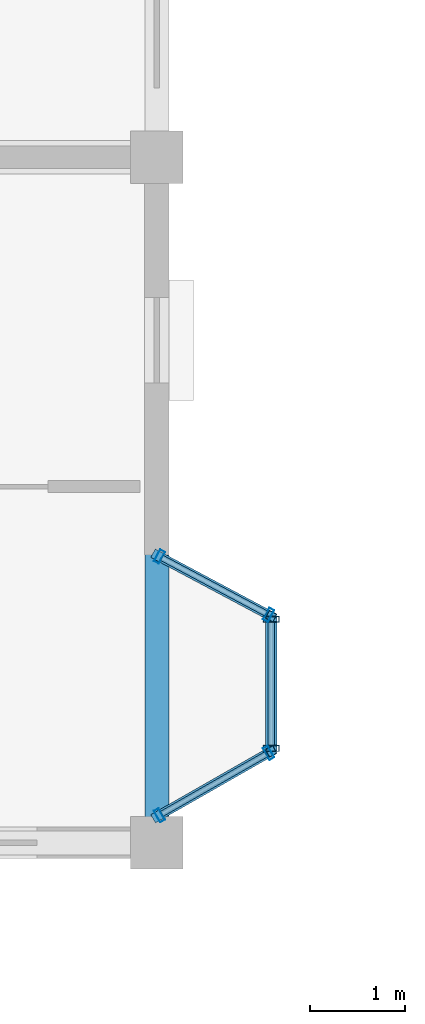
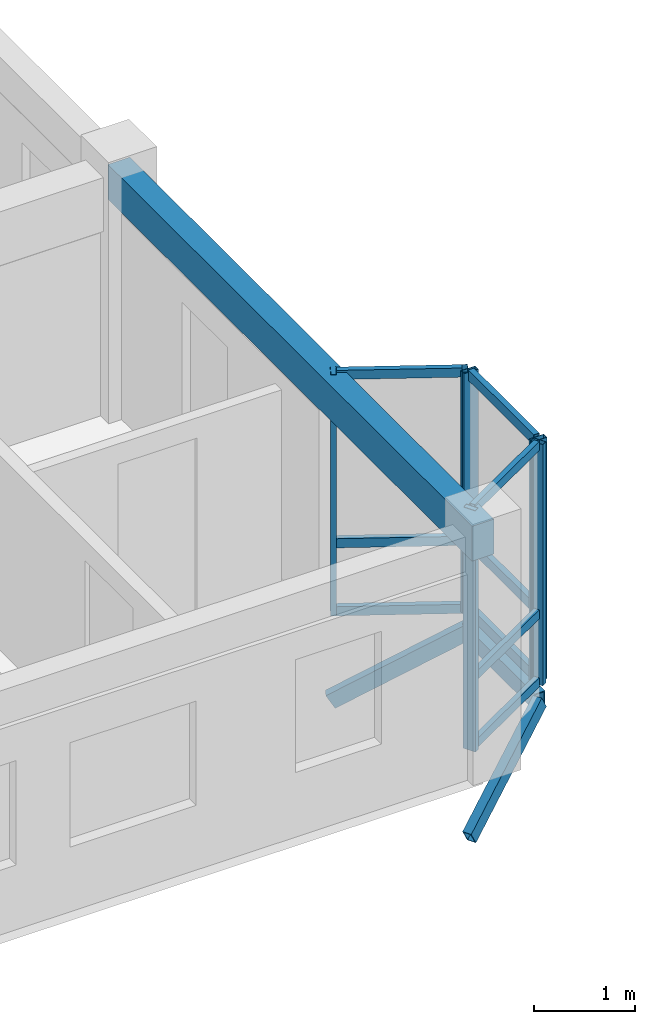
# One storey, part 15 of 77: 18 members, 1 beam, 3 elements without a shape of their own.
"""IFC4 building model written with IfcOpenShell, lengths in metres."""

from ifc_helpers import new_model, si_unit, direction, frame, origin, origin_2d, place, context, subcontext, project, spatial, rectangle, hollow_rectangle, extrude, material, layer, layer_set, material_profile, profile_set, type_object, element, aggregate, save


model = new_model("IFC4")

# Units and contexts
model_context = context("Model", 3, precision=1e-05, world=origin(), true_north=direction((0.0, 1.0)))
body_context = subcontext(model_context, "Body", "Model", "MODEL_VIEW")
ifc_project = project(units=[si_unit("LENGTHUNIT", "METRE"), si_unit("AREAUNIT", "SQUARE_METRE"), si_unit("VOLUMEUNIT", "CUBIC_METRE"), si_unit("PLANEANGLEUNIT", "RADIAN"), si_unit("MASSUNIT", "GRAM", prefix="KILO"), si_unit("THERMODYNAMICTEMPERATUREUNIT", "KELVIN"), si_unit("POWERUNIT", "WATT")], contexts=[model_context])

# Site, building, storey
site_placement = place(None, origin())
site = spatial("IfcSite", under=ifc_project, at=site_placement, CompositionType="ELEMENT")
building_placement = place(site_placement, origin())
building = spatial("IfcBuilding", under=site, at=building_placement, Name="Tavuni Mirador Residences", CompositionType="ELEMENT")
storey_placement = place(building_placement, frame((0.0, 0.0, 17.10009765625)))
storey = spatial("IfcBuildingStorey", under=building, at=storey_placement, Name="L05", CompositionType="ELEMENT", Elevation=17.10009765625)

# Beam
ifc_material_1 = material(Name="Precast concrete C40/50", Category="concrete")
ifc_material_profile_1 = material_profile(ifc_material_1, rectangle(XDim=0.25, YDim=0.419921875, at=origin_2d()), Name="PC 250x420", Category="concrete")
ifc_profile_set_1 = profile_set([ifc_material_profile_1], Name="Precast concrete C40/50")
beam_type = type_object("IfcBeamType", Name="BT-SP420", PredefinedType="SPANDREL", material=ifc_profile_set_1)
beam_placement = place(storey_placement, frame((25.199951171875, 64.800048828125, 2.699951171875), z_axis=(0.0, 1.0, 0.0), x_axis=(-1.0, 0.0, 0.0)))
element("IfcBeam", 1, at=beam_placement, inside=storey, type_object=beam_type, Name="BMY-BLK-B-L05-03-00", PredefinedType="SPANDREL", context=body_context, shape_type="SweptSolid", body=[
    extrude(rectangle(XDim=0.25, YDim=0.419921875, at=origin_2d()), origin(), (0.0, 0.0, 1.0), 7.199951171875),
])

# Curtain wall, members
ifc_material_2 = material(Name="Anodised aluminium", Category="aluminium")
ifc_layer_1 = layer(ifc_material_2, 0.1650390625, Name="Anodised aluminium", Category="aluminium")
ifc_layer_set_1 = layer_set([ifc_layer_1], Name="Anodised aluminium")
curtain_wall_type_1 = type_object("IfcCurtainWallType", Name="CWT-MIR-A", PredefinedType="NOTDEFINED", material=ifc_layer_set_1)
curtain_wall_1_placement = place(storey_placement, origin())
curtain_wall_1 = element("IfcCurtainWall", 2, at=curtain_wall_1_placement, inside=storey, type_object=curtain_wall_type_1, Name="CW-MIR-B-E1-L05-M1", PredefinedType="NOTDEFINED")
ifc_material_profile_2 = material_profile(ifc_material_2, hollow_rectangle(XDim=0.06005859375, YDim=0.139892578125, WallThickness=0.00390625, at=origin_2d()), Name="ALU 60x140x4.0", Category="aluminium")
ifc_profile_set_2 = profile_set([ifc_material_profile_2], Name="Anodised aluminium")
member_type_1 = type_object("IfcMemberType", Name="CWM-140", PredefinedType="MULLION", material=ifc_profile_set_2)
member_1_placement = place(storey_placement, frame((25.22607421875, 65.08984375, 0.0), z_axis=(0.0, 0.0, 1.0), x_axis=(0.868465738194, 0.495749192217, 0.0)))
member_1 = element("IfcMember", 3, at=member_1_placement, type_object=member_type_1, Name="CW-01 mullion 1", PredefinedType="MULLION", context=body_context, shape_type="SweptSolid", body=[
    extrude(hollow_rectangle(XDim=0.06005859375, YDim=0.139892578125, WallThickness=0.00390625, at=origin_2d()), origin(), (0.0, 0.0, 1.0), 2.909912109375),
])
member_2_placement = place(storey_placement, frame((26.3740234375, 65.7451171875, 0.0), z_axis=(0.0, 0.0, 1.0), x_axis=(0.868465738194, 0.495749192217, 0.0)))
member_2 = element("IfcMember", 4, at=member_2_placement, type_object=member_type_1, Name="CW-01 mullion 2", PredefinedType="MULLION", context=body_context, shape_type="SweptSolid", body=[
    extrude(hollow_rectangle(XDim=0.06005859375, YDim=0.139892578125, WallThickness=0.00390625, at=origin_2d()), origin(), (0.0, 0.0, 1.0), 2.909912109375),
])

ifc_layer_2 = layer(ifc_material_2, 0.175048828125, Name="Anodised aluminium", Category="aluminium")
ifc_layer_set_2 = layer_set([ifc_layer_2], Name="Anodised aluminium")
curtain_wall_type_2 = type_object("IfcCurtainWallType", Name="CWT-MIR-C", PredefinedType="NOTDEFINED", material=ifc_layer_set_2)
curtain_wall_2_placement = place(storey_placement, origin())
curtain_wall_2 = element("IfcCurtainWall", 5, at=curtain_wall_2_placement, inside=storey, type_object=curtain_wall_type_2, Name="CW-MIR-B-E1-L05-M2", PredefinedType="NOTDEFINED")
member_3_placement = place(storey_placement, frame((26.37353515625, 67.194091796875, 0.0), z_axis=(0.0, 0.0, 1.0), x_axis=(-0.882352941175, 0.470588235296, 0.0)))
member_3 = element("IfcMember", 6, at=member_3_placement, type_object=member_type_1, Name="CW-03 mullion 1", PredefinedType="MULLION", context=body_context, shape_type="SweptSolid", body=[
    extrude(hollow_rectangle(XDim=0.06005859375, YDim=0.139892578125, WallThickness=0.00390625, at=origin_2d()), origin(), (0.0, 0.0, 1.0), 2.909912109375),
])
member_4_placement = place(storey_placement, frame((25.2265625, 67.805908203125, 0.0), z_axis=(0.0, 0.0, 1.0), x_axis=(-0.882352941175, 0.470588235296, 0.0)))
member_4 = element("IfcMember", 7, at=member_4_placement, type_object=member_type_1, Name="CW-03 mullion 2", PredefinedType="MULLION", context=body_context, shape_type="SweptSolid", body=[
    extrude(hollow_rectangle(XDim=0.06005859375, YDim=0.139892578125, WallThickness=0.00390625, at=origin_2d()), origin(), (0.0, 0.0, 1.0), 2.909912109375),
])

ifc_layer_3 = layer(ifc_material_2, 0.14990234375, Name="Anodised aluminium", Category="aluminium")
ifc_layer_set_3 = layer_set([ifc_layer_3], Name="Anodised aluminium")
curtain_wall_type_3 = type_object("IfcCurtainWallType", Name="CWT-MIR-B", PredefinedType="NOTDEFINED", material=ifc_layer_set_3)
curtain_wall_3_placement = place(storey_placement, origin())
curtain_wall_3 = element("IfcCurtainWall", 8, at=curtain_wall_3_placement, inside=storey, type_object=curtain_wall_type_3, Name="CW-MIR-B-E1-L05-MF", PredefinedType="NOTDEFINED")
ifc_material_profile_3 = material_profile(ifc_material_2, hollow_rectangle(XDim=0.06494140625, YDim=0.1650390625, WallThickness=0.00439453125, at=origin_2d()), Name="ALU 65x165x4.5", Category="aluminium")
ifc_profile_set_3 = profile_set([ifc_material_profile_3], Name="Anodised aluminium")
member_type_2 = type_object("IfcMemberType", Name="CWM-165", PredefinedType="MULLION", material=ifc_profile_set_3)
member_5_placement = place(storey_placement, frame((26.39990234375, 65.79248046875, 0.0), z_axis=(0.0, 0.0, 1.0), x_axis=(0.0, 1.0, 0.0)))
member_5 = element("IfcMember", 9, at=member_5_placement, type_object=member_type_2, Name="CW-02 mullion 1", PredefinedType="MULLION", context=body_context, shape_type="SweptSolid", body=[
    extrude(hollow_rectangle(XDim=0.06494140625, YDim=0.1650390625, WallThickness=0.00439453125, at=origin_2d()), origin(), (0.0, 0.0, 1.0), 2.909912109375),
])
member_6_placement = place(storey_placement, frame((26.39990234375, 67.1474609375, 0.0), z_axis=(0.0, 0.0, 1.0), x_axis=(0.0, 1.0, 0.0)))
member_6 = element("IfcMember", 10, at=member_6_placement, type_object=member_type_2, Name="CW-02 mullion 2", PredefinedType="MULLION", context=body_context, shape_type="SweptSolid", body=[
    extrude(hollow_rectangle(XDim=0.06494140625, YDim=0.1650390625, WallThickness=0.00439453125, at=origin_2d()), origin(), (0.0, 0.0, 1.0), 2.909912109375),
])

# Member
ifc_material_profile_4 = material_profile(ifc_material_2, hollow_rectangle(XDim=0.06005859375, YDim=0.110107421875, WallThickness=0.00390625, at=origin_2d()), Name="ALU 60x110x4.0", Category="aluminium")
ifc_profile_set_4 = profile_set([ifc_material_profile_4], Name="Anodised aluminium")
member_type_3 = type_object("IfcMemberType", Name="CWT-110", PredefinedType="USERDEFINED", material=ifc_profile_set_4)
member_7_placement = place(storey_placement, frame((25.252197265625, 65.104736328125, 0.02978515625), z_axis=(0.868457406816, 0.495763787046, 0.0), x_axis=(-0.495763787046, 0.868457406816, 0.0)))
member_7 = element("IfcMember", 11, at=member_7_placement, type_object=member_type_3, Name="CW-01 transom 1.1", ObjectType="TRANSOM", PredefinedType="USERDEFINED", context=body_context, shape_type="SweptSolid", body=[
    extrude(hollow_rectangle(XDim=0.06005859375, YDim=0.110107421875, WallThickness=0.00390625, at=origin_2d()), origin(), (0.0, 0.0, 1.0), 1.26171875),
])

member_8_placement = place(storey_placement, frame((25.252197265625, 65.104736328125, 0.849853515625), z_axis=(0.868457406816, 0.495763787046, 0.0), x_axis=(-0.495763787046, 0.868457406816, 0.0)))
member_8 = element("IfcMember", 12, at=member_8_placement, type_object=member_type_3, Name="CW-01 transom 1.2", ObjectType="TRANSOM", PredefinedType="USERDEFINED", context=body_context, shape_type="SweptSolid", body=[
    extrude(hollow_rectangle(XDim=0.06005859375, YDim=0.110107421875, WallThickness=0.00390625, at=origin_2d()), origin(), (0.0, 0.0, 1.0), 1.26171875),
])

member_9_placement = place(storey_placement, frame((25.252197265625, 65.104736328125, 2.8798828125), z_axis=(0.868457406816, 0.495763787046, 0.0), x_axis=(-0.495763787046, 0.868457406816, 0.0)))
member_9 = element("IfcMember", 13, at=member_9_placement, type_object=member_type_3, Name="CW-01 transom 1.3", ObjectType="TRANSOM", PredefinedType="USERDEFINED", context=body_context, shape_type="SweptSolid", body=[
    extrude(hollow_rectangle(XDim=0.06005859375, YDim=0.110107421875, WallThickness=0.00390625, at=origin_2d()), origin(), (0.0, 0.0, 1.0), 1.26171875),
])

aggregate(curtain_wall_1, [member_1, member_2, member_7, member_8, member_9])

member_10_placement = place(storey_placement, frame((26.34716796875, 67.208251953125, 0.02978515625), z_axis=(-0.882385637708, 0.470526924168, 0.0), x_axis=(-0.470526924168, -0.882385637708, 0.0)))
member_10 = element("IfcMember", 14, at=member_10_placement, type_object=member_type_3, Name="CW-03 transom 1.1", ObjectType="TRANSOM", PredefinedType="USERDEFINED", context=body_context, shape_type="SweptSolid", body=[
    extrude(hollow_rectangle(XDim=0.06005859375, YDim=0.110107421875, WallThickness=0.00390625, at=origin_2d()), origin(), (0.0, 0.0, 1.0), 1.239990234375),
])

member_11_placement = place(storey_placement, frame((26.34716796875, 67.208251953125, 0.849853515625), z_axis=(-0.882385637708, 0.470526924168, 0.0), x_axis=(-0.470526924168, -0.882385637708, 0.0)))
member_11 = element("IfcMember", 15, at=member_11_placement, type_object=member_type_3, Name="CW-03 transom 1.2", ObjectType="TRANSOM", PredefinedType="USERDEFINED", context=body_context, shape_type="SweptSolid", body=[
    extrude(hollow_rectangle(XDim=0.06005859375, YDim=0.110107421875, WallThickness=0.00390625, at=origin_2d()), origin(), (0.0, 0.0, 1.0), 1.239990234375),
])

member_12_placement = place(storey_placement, frame((26.34716796875, 67.208251953125, 2.8798828125), z_axis=(-0.882385637708, 0.470526924168, 0.0), x_axis=(-0.470526924168, -0.882385637708, 0.0)))
member_12 = element("IfcMember", 16, at=member_12_placement, type_object=member_type_3, Name="CW-03 transom 1.3", ObjectType="TRANSOM", PredefinedType="USERDEFINED", context=body_context, shape_type="SweptSolid", body=[
    extrude(hollow_rectangle(XDim=0.06005859375, YDim=0.110107421875, WallThickness=0.00390625, at=origin_2d()), origin(), (0.0, 0.0, 1.0), 1.239990234375),
])

aggregate(curtain_wall_2, [member_3, member_4, member_10, member_11, member_12])

ifc_material_profile_5 = material_profile(ifc_material_2, hollow_rectangle(XDim=0.06494140625, YDim=0.125, WallThickness=0.00439453125, at=origin_2d()), Name="ALU 65x125x4.5", Category="aluminium")
ifc_profile_set_5 = profile_set([ifc_material_profile_5], Name="Anodised aluminium")
member_type_4 = type_object("IfcMemberType", Name="CWT-125", PredefinedType="USERDEFINED", material=ifc_profile_set_5)
member_13_placement = place(storey_placement, frame((26.39990234375, 65.824951171875, 0.032470703125), z_axis=(0.0, 1.0, 0.0), x_axis=(-1.0, 0.0, 0.0)))
member_13 = element("IfcMember", 17, at=member_13_placement, type_object=member_type_4, Name="CW-02 transom 1.1", ObjectType="TRANSOM", PredefinedType="USERDEFINED", context=body_context, shape_type="SweptSolid", body=[
    extrude(hollow_rectangle(XDim=0.06494140625, YDim=0.125, WallThickness=0.00439453125, at=origin_2d()), origin(), (0.0, 0.0, 1.0), 1.2900390625),
])

member_14_placement = place(storey_placement, frame((26.39990234375, 65.824951171875, 0.849853515625), z_axis=(0.0, 1.0, 0.0), x_axis=(-1.0, 0.0, 0.0)))
member_14 = element("IfcMember", 18, at=member_14_placement, type_object=member_type_4, Name="CW-02 transom 1.2", ObjectType="TRANSOM", PredefinedType="USERDEFINED", context=body_context, shape_type="SweptSolid", body=[
    extrude(hollow_rectangle(XDim=0.06494140625, YDim=0.125, WallThickness=0.00439453125, at=origin_2d()), origin(), (0.0, 0.0, 1.0), 1.2900390625),
])

member_15_placement = place(storey_placement, frame((26.39990234375, 65.824951171875, 2.87744140625), z_axis=(0.0, 1.0, 0.0), x_axis=(-1.0, 0.0, 0.0)))
member_15 = element("IfcMember", 19, at=member_15_placement, type_object=member_type_4, Name="CW-02 transom 1.3", ObjectType="TRANSOM", PredefinedType="USERDEFINED", context=body_context, shape_type="SweptSolid", body=[
    extrude(hollow_rectangle(XDim=0.06494140625, YDim=0.125, WallThickness=0.00439453125, at=origin_2d()), origin(), (0.0, 0.0, 1.0), 1.2900390625),
])

aggregate(curtain_wall_3, [member_5, member_6, member_13, member_14, member_15])

# Members
ifc_material_3 = material(Name="Structural steel S355", Category="steel")
ifc_material_profile_6 = material_profile(ifc_material_3, hollow_rectangle(XDim=0.10009765625, YDim=0.179931640625, WallThickness=0.008056640625, at=origin_2d()), Name="RHS 180x100x8.0", Category="steel")
ifc_profile_set_6 = profile_set([ifc_material_profile_6], Name="Structural steel S355")
member_type_5 = type_object("IfcMemberType", Name="MT-BR-RHS180", PredefinedType="BRACE", material=ifc_profile_set_6)
member_16_placement = place(storey_placement, frame((25.199951171875, 65.074951171875, -1.050048828125), z_axis=(0.749182227944, 0.427712173268, 0.505755164256), x_axis=(-0.495796390047, 0.868438794398, 0.0)))
element("IfcMember", 20, at=member_16_placement, inside=storey, type_object=member_type_5, Name="MBRK-MIR-B-E1-L05-1", PredefinedType="BRACE", context=body_context, shape_type="SweptSolid", body=[
    extrude(hollow_rectangle(XDim=0.10009765625, YDim=0.179931640625, WallThickness=0.008056640625, at=origin_2d()), origin(), (0.0, 0.0, 1.0), 1.6015625),
])
member_17_placement = place(storey_placement, frame((25.199951171875, 67.820068359375, -1.050048828125), z_axis=(0.758028963388, -0.404384932249, 0.511727385661), x_axis=(0.470681405175, 0.882303244255, 0.0)))
element("IfcMember", 21, at=member_17_placement, inside=storey, type_object=member_type_5, Name="MBRK-MIR-B-E1-L05-2", PredefinedType="BRACE", context=body_context, shape_type="SweptSolid", body=[
    extrude(hollow_rectangle(XDim=0.10009765625, YDim=0.179931640625, WallThickness=0.008056640625, at=origin_2d()), origin(), (0.0, 0.0, 1.0), 1.5830078125),
])
ifc_material_profile_7 = material_profile(ifc_material_3, hollow_rectangle(XDim=0.1201171875, YDim=0.199951171875, WallThickness=0.010009765625, at=origin_2d()), Name="RHS 200x120x10.0", Category="steel")
ifc_profile_set_7 = profile_set([ifc_material_profile_7], Name="Structural steel S355")
member_type_6 = type_object("IfcMemberType", Name="MT-ST-RHS200", PredefinedType="STRUT", material=ifc_profile_set_7)
member_18_placement = place(storey_placement, frame((26.39990234375, 65.760009765625, -0.239990234375), z_axis=(0.0, 1.0, 0.0), x_axis=(-1.0, 0.0, 0.0)))
element("IfcMember", 22, at=member_18_placement, inside=storey, type_object=member_type_6, Name="MRIM-MIR-B-E1-L05", PredefinedType="STRUT", context=body_context, shape_type="SweptSolid", body=[
    extrude(hollow_rectangle(XDim=0.1201171875, YDim=0.199951171875, WallThickness=0.010009765625, at=origin_2d()), origin(), (0.0, 0.0, 1.0), 1.419921875),
])

save(model, "model.ifc")
